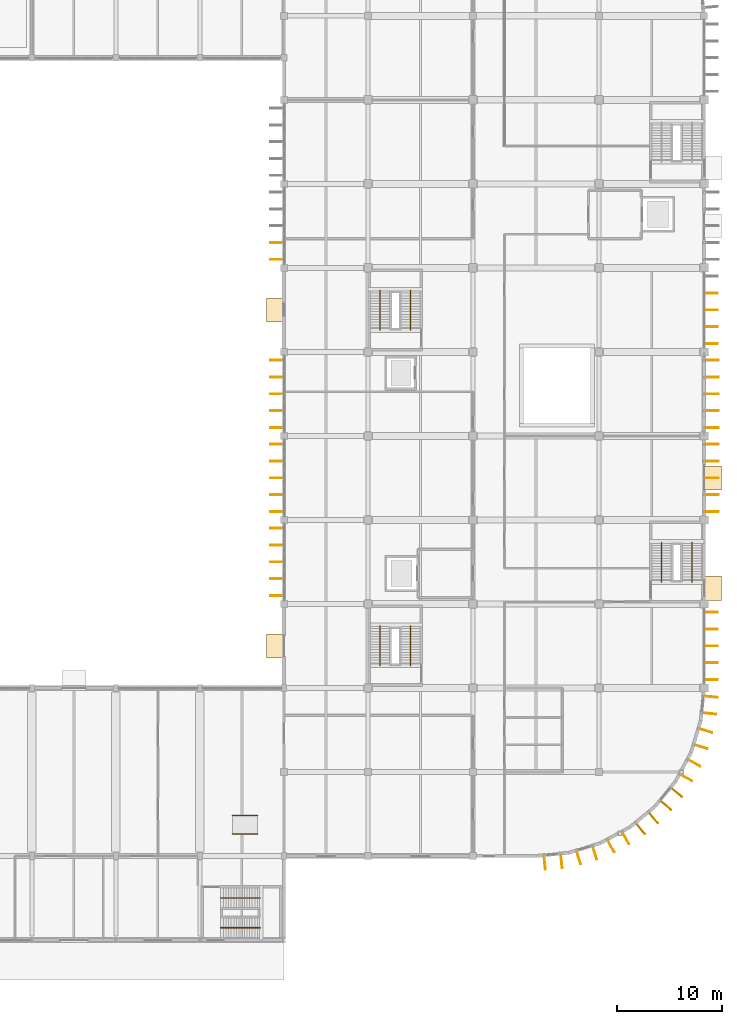
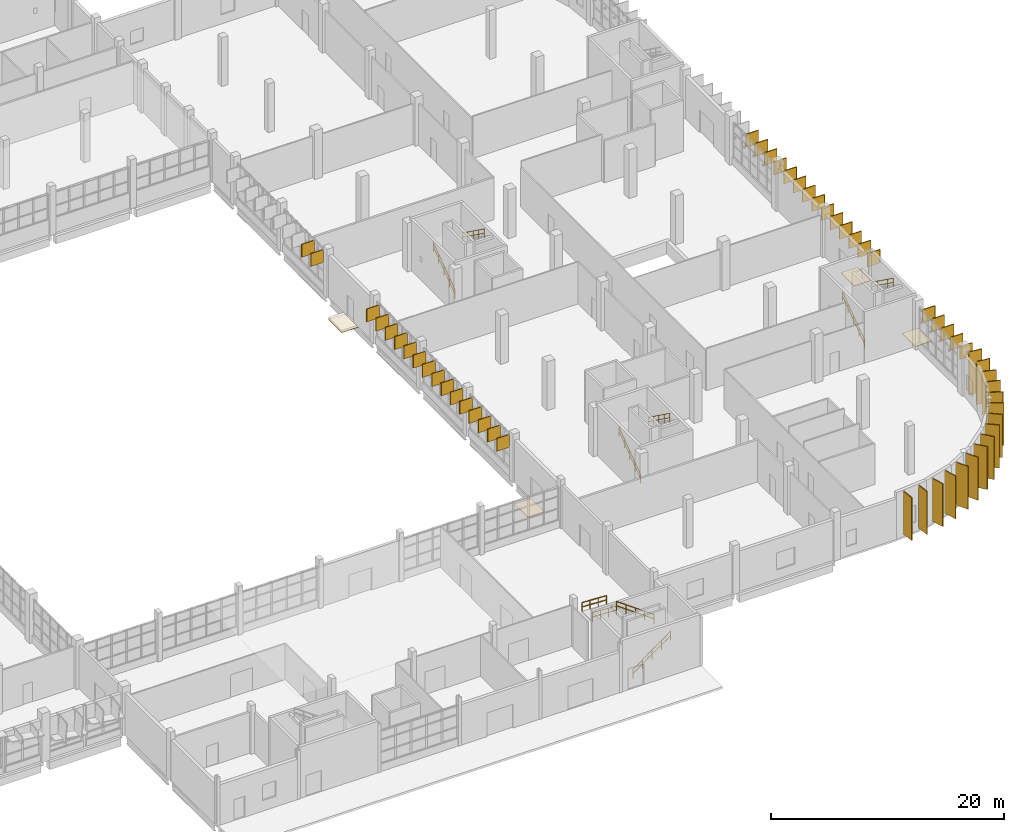
# One storey, part 101 of 103: 56 coverings, 52 shading devices, 10 railings.
"""IFC4 building model written with IfcOpenShell, lengths in metres."""

from ifc_helpers import new_model, si_unit, direction, frame, origin, origin_2d, place, context, subcontext, project, spatial, polyline, rectangle, circle, outline, extrude, material, layer, layer_set, type_object, element, save


model = new_model("IFC4")

# Units and contexts
model_context = context("Model", 3, precision=1e-05, world=origin(), true_north=direction((0.0, 1.0)))
body_context = subcontext(model_context, "Body", "Model", "MODEL_VIEW")
ifc_project = project(units=[si_unit("LENGTHUNIT", "METRE"), si_unit("AREAUNIT", "SQUARE_METRE"), si_unit("VOLUMEUNIT", "CUBIC_METRE"), si_unit("PLANEANGLEUNIT", "RADIAN"), si_unit("MASSUNIT", "GRAM", prefix="KILO")], contexts=[model_context])

# Site, building, storey
site_placement = place(None, origin())
site = spatial("IfcSite", under=ifc_project, at=site_placement, CompositionType="ELEMENT")
building_placement = place(site_placement, origin())
building = spatial("IfcBuilding", under=site, at=building_placement, Name="Drelvana Railside Aquatics Centre", CompositionType="ELEMENT")
storey_placement = place(building_placement, origin())
storey = spatial("IfcBuildingStorey", under=building, at=storey_placement, Name="L00", CompositionType="ELEMENT", Elevation=0.0)

# Coverings
ifc_material_1 = material(Name="Catalan trencadis polychrome ceramic mosaic cladding", Category="masonry")
ifc_layer = layer(ifc_material_1, 0.044921875, Name="Catalan trencadis polychrome ceramic mosaic cladding")
ifc_layer_set = layer_set([ifc_layer], Name="Catalan trencadis polychrome ceramic mosaic cladding")
covering_type_1 = type_object("IfcCoveringType", Name="COV-CLAD-TRENCADIS", PredefinedType="CLADDING", material=ifc_layer_set)
covering_1_placement = place(storey_placement, frame((0.0, 0.0, -0.2548828125)))
element("IfcCovering", 1, at=covering_1_placement, inside=storey, type_object=covering_type_1, Name="Threshold apron bedding trim 018", PredefinedType="CLADDING", context=body_context, shape_type="SweptSolid", body=[
    extrude(outline(polyline([(142.344970703125, 26.85009765625), (143.9951171875, 26.85009765625), (143.9951171875, 29.14990234375), (142.344970703125, 29.14990234375), (142.344970703125, 26.85009765625)])), origin(), (0.0, 0.0, 1.0), 0.044921875),
])
covering_2_placement = place(storey_placement, frame((0.0, 0.0, -0.2548828125)))
element("IfcCovering", 2, at=covering_2_placement, inside=storey, type_object=covering_type_1, Name="Threshold apron bedding trim 019", PredefinedType="CLADDING", context=body_context, shape_type="SweptSolid", body=[
    extrude(outline(polyline([(142.344970703125, 58.85009765625), (143.9951171875, 58.85009765625), (143.9951171875, 61.14990234375), (142.344970703125, 61.14990234375), (142.344970703125, 58.85009765625)])), origin(), (0.0, 0.0, 1.0), 0.044921875),
])
covering_3_placement = place(storey_placement, frame((0.0, 0.0, -0.2548828125)))
element("IfcCovering", 3, at=covering_3_placement, inside=storey, type_object=covering_type_1, Name="Threshold apron bedding trim 023", PredefinedType="CLADDING", context=body_context, shape_type="SweptSolid", body=[
    extrude(outline(polyline([(184.0048828125, 32.35498046875), (185.655029296875, 32.35498046875), (185.655029296875, 34.655029296875), (184.0048828125, 34.655029296875), (184.0048828125, 32.35498046875)])), origin(), (0.0, 0.0, 1.0), 0.044921875),
])
covering_4_placement = place(storey_placement, frame((0.0, 0.0, -0.2548828125)))
element("IfcCovering", 4, at=covering_4_placement, inside=storey, type_object=covering_type_1, Name="Threshold apron bedding trim 024", PredefinedType="CLADDING", context=body_context, shape_type="SweptSolid", body=[
    extrude(outline(polyline([(184.0048828125, 42.85009765625), (185.655029296875, 42.85009765625), (185.655029296875, 45.14990234375), (184.0048828125, 45.14990234375), (184.0048828125, 42.85009765625)])), origin(), (0.0, 0.0, 1.0), 0.044921875),
])
ifc_material_2 = material(Name="Bronze-anodised extruded aluminium 6063-T6", Category="aluminium")
covering_type_2 = type_object("IfcCoveringType", Name="COV-FIN-ALU", PredefinedType="CLADDING", material=ifc_material_2)
for number, where, z_axis, x_axis, name in (
    (5, (143.330078125, 32.800048828125, 3.0), (0.0, 0.0, 1.0), (0.0, 1.0, 0.0), "Vertical aluminium fin cladding CF-0561"),
    (6, (143.330078125, 34.39990234375, 3.0), (0.0, 0.0, 1.0), (0.0, 1.0, 0.0), "Vertical aluminium fin cladding CF-0562"),
    (7, (143.330078125, 36.0, 3.0), (0.0, 0.0, 1.0), (0.0, 1.0, 0.0), "Vertical aluminium fin cladding CF-0563"),
    (8, (143.330078125, 37.60009765625, 3.0), (0.0, 0.0, 1.0), (0.0, 1.0, 0.0), "Vertical aluminium fin cladding CF-0564"),
    (9, (143.330078125, 39.199951171875, 3.0), (0.0, 0.0, 1.0), (0.0, 1.0, 0.0), "Vertical aluminium fin cladding CF-0565"),
    (10, (143.330078125, 40.800048828125, 3.0), (0.0, 0.0, 1.0), (0.0, 1.0, 0.0), "Vertical aluminium fin cladding CF-0581"),
    (11, (143.330078125, 42.39990234375, 3.0), (0.0, 0.0, 1.0), (0.0, 1.0, 0.0), "Vertical aluminium fin cladding CF-0582"),
    (12, (143.330078125, 44.0, 3.0), (0.0, 0.0, 1.0), (0.0, 1.0, 0.0), "Vertical aluminium fin cladding CF-0583"),
    (13, (143.330078125, 45.60009765625, 3.0), (0.0, 0.0, 1.0), (0.0, 1.0, 0.0), "Vertical aluminium fin cladding CF-0584"),
    (14, (143.330078125, 47.199951171875, 3.0), (0.0, 0.0, 1.0), (0.0, 1.0, 0.0), "Vertical aluminium fin cladding CF-0585"),
    (15, (143.330078125, 48.800048828125, 3.0), (0.0, 0.0, 1.0), (0.0, 1.0, 0.0), "Vertical aluminium fin cladding CF-0601"),
    (16, (143.330078125, 50.39990234375, 3.0), (0.0, 0.0, 1.0), (0.0, 1.0, 0.0), "Vertical aluminium fin cladding CF-0602"),
    (17, (143.330078125, 52.0, 3.0), (0.0, 0.0, 1.0), (0.0, 1.0, 0.0), "Vertical aluminium fin cladding CF-0603"),
    (18, (143.330078125, 53.60009765625, 3.0), (0.0, 0.0, 1.0), (0.0, 1.0, 0.0), "Vertical aluminium fin cladding CF-0604"),
    (19, (143.330078125, 55.199951171875, 3.0), (0.0, 0.0, 1.0), (0.0, 1.0, 0.0), "Vertical aluminium fin cladding CF-0605"),
    (20, (143.330078125, 64.800048828125, 3.0), (0.0, 0.0, 1.0), (0.0, 1.0, 0.0), "Vertical aluminium fin cladding CF-0636"),
    (21, (143.330078125, 66.39990234375, 3.0), (0.0, 0.0, 1.0), (0.0, 1.0, 0.0), "Vertical aluminium fin cladding CF-0637"),
    (22, (184.669921875, 24.800048828125, 3.0), (0.0, 0.0, 1.0), (0.0, -1.0, 0.0), "Vertical aluminium fin cladding CF-0676"),
    (23, (184.669921875, 26.39990234375, 3.0), (0.0, 0.0, 1.0), (0.0, -1.0, 0.0), "Vertical aluminium fin cladding CF-0677"),
    (24, (184.669921875, 28.0, 3.0), (0.0, 0.0, 1.0), (0.0, -1.0, 0.0), "Vertical aluminium fin cladding CF-0678"),
    (25, (184.669921875, 29.60009765625, 3.0), (0.0, 0.0, 1.0), (0.0, -1.0, 0.0), "Vertical aluminium fin cladding CF-0679"),
    (26, (184.669921875, 31.199951171875, 3.0), (0.0, 0.0, 1.0), (0.0, -1.0, 0.0), "Vertical aluminium fin cladding CF-0680"),
):
    element("IfcCovering", number, at=place(storey_placement, frame(where, z_axis=z_axis, x_axis=x_axis)), inside=storey, type_object=covering_type_2, Name=name, PredefinedType="CLADDING", context=body_context, shape_type="SweptSolid", body=[
        extrude(rectangle(XDim=0.0849609375, YDim=1.25, at=origin_2d()), origin(), (0.0, 0.0, 1.0), 1.35009765625),
    ])
for number, where, z_axis, x_axis, name in (
    (27, (184.7451171875, 40.800048828125, 3.0), (0.0, 0.0, 1.0), (0.0, -1.0, 0.0), "Vertical aluminium fin cladding CF-0701"),
    (28, (184.7451171875, 42.39990234375, 3.0), (0.0, 0.0, 1.0), (0.0, -1.0, 0.0), "Vertical aluminium fin cladding CF-0702"),
    (29, (184.7451171875, 44.0, 3.0), (0.0, 0.0, 1.0), (0.0, -1.0, 0.0), "Vertical aluminium fin cladding CF-0703"),
    (30, (184.7451171875, 45.60009765625, 3.0), (0.0, 0.0, 1.0), (0.0, -1.0, 0.0), "Vertical aluminium fin cladding CF-0704"),
    (31, (184.7451171875, 47.199951171875, 3.0), (0.0, 0.0, 1.0), (0.0, -1.0, 0.0), "Vertical aluminium fin cladding CF-0705"),
):
    element("IfcCovering", number, at=place(storey_placement, frame(where, z_axis=z_axis, x_axis=x_axis)), inside=storey, type_object=covering_type_2, Name=name, PredefinedType="CLADDING", context=body_context, shape_type="SweptSolid", body=[
        extrude(rectangle(XDim=0.0849609375, YDim=1.25, at=origin_2d()), origin(), (0.0, 0.0, 1.0), 1.39990234375),
    ])
for number, where, z_axis, x_axis, name in (
    (32, (184.77490234375, 48.800048828125, 3.0), (0.0, 0.0, 1.0), (0.0, -1.0, 0.0), "Vertical aluminium fin cladding CF-0726"),
    (33, (184.77490234375, 50.39990234375, 3.0), (0.0, 0.0, 1.0), (0.0, -1.0, 0.0), "Vertical aluminium fin cladding CF-0727"),
    (34, (184.77490234375, 52.0, 3.0), (0.0, 0.0, 1.0), (0.0, -1.0, 0.0), "Vertical aluminium fin cladding CF-0728"),
    (35, (184.77490234375, 53.60009765625, 3.0), (0.0, 0.0, 1.0), (0.0, -1.0, 0.0), "Vertical aluminium fin cladding CF-0729"),
    (36, (184.77490234375, 55.199951171875, 3.0), (0.0, 0.0, 1.0), (0.0, -1.0, 0.0), "Vertical aluminium fin cladding CF-0730"),
    (37, (184.669921875, 56.800048828125, 3.0), (0.0, 0.0, 1.0), (0.0, -1.0, 0.0), "Vertical aluminium fin cladding CF-0751"),
    (38, (184.669921875, 58.39990234375, 3.0), (0.0, 0.0, 1.0), (0.0, -1.0, 0.0), "Vertical aluminium fin cladding CF-0752"),
    (39, (184.669921875, 60.0, 3.0), (0.0, 0.0, 1.0), (0.0, -1.0, 0.0), "Vertical aluminium fin cladding CF-0753"),
    (40, (184.669921875, 61.60009765625, 3.0), (0.0, 0.0, 1.0), (0.0, -1.0, 0.0), "Vertical aluminium fin cladding CF-0754"),
):
    element("IfcCovering", number, at=place(storey_placement, frame(where, z_axis=z_axis, x_axis=x_axis)), inside=storey, type_object=covering_type_2, Name=name, PredefinedType="CLADDING", context=body_context, shape_type="SweptSolid", body=[
        extrude(rectangle(XDim=0.0849609375, YDim=1.25, at=origin_2d()), origin(), (0.0, 0.0, 1.0), 1.35009765625),
    ])
for number, where, z_axis, x_axis, name in (
    (41, (168.836669921875, 7.34375, 0.25), (0.0, 0.0, 1.0), (-0.995184726672, -0.09801714033, 0.0), "Vertical aluminium fin cladding CF-0821"),
    (42, (170.428955078125, 7.500732421875, 0.25), (0.0, 0.0, 1.0), (-0.995184726672, -0.09801714033, 0.0), "Vertical aluminium fin cladding CF-0822"),
    (43, (172.070068359375, 7.8271484375, 0.25), (0.0, 0.0, 1.0), (-0.956940335732, -0.290284677254, 0.0), "Vertical aluminium fin cladding CF-0827"),
    (44, (173.60107421875, 8.29150390625, 0.25), (0.0, 0.0, 1.0), (-0.956940335732, -0.290284677254, 0.0), "Vertical aluminium fin cladding CF-0828"),
    (45, (175.14697265625, 8.931884765625, 0.25), (0.0, 0.0, 1.0), (-0.881921264348, -0.471396736826, 0.0), "Vertical aluminium fin cladding CF-0833"),
    (46, (176.55810546875, 9.68603515625, 0.25), (0.0, 0.0, 1.0), (-0.881921264348, -0.471396736826, 0.0), "Vertical aluminium fin cladding CF-0834"),
    (47, (177.94921875, 10.61572265625, 0.25), (0.0, 0.0, 1.0), (-0.773010453363, -0.634393284164, 0.0), "Vertical aluminium fin cladding CF-0839"),
    (48, (179.18603515625, 11.630615234375, 0.25), (0.0, 0.0, 1.0), (-0.773010453363, -0.634393284164, 0.0), "Vertical aluminium fin cladding CF-0840"),
    (49, (180.369384765625, 12.81396484375, 0.25), (0.0, 0.0, 1.0), (-0.634393284164, -0.773010453363, 0.0), "Vertical aluminium fin cladding CF-0845"),
    (50, (181.38427734375, 14.05078125, 0.25), (0.0, 0.0, 1.0), (-0.634393284164, -0.773010453363, 0.0), "Vertical aluminium fin cladding CF-0846"),
    (51, (182.31396484375, 15.44189453125, 0.25), (0.0, 0.0, 1.0), (-0.471396736826, -0.881921264348, 0.0), "Vertical aluminium fin cladding CF-0851"),
    (52, (183.068115234375, 16.85302734375, 0.25), (0.0, 0.0, 1.0), (-0.471396736826, -0.881921264348, 0.0), "Vertical aluminium fin cladding CF-0852"),
    (53, (183.70849609375, 18.39892578125, 0.25), (0.0, 0.0, 1.0), (-0.290284677254, -0.956940335732, 0.0), "Vertical aluminium fin cladding CF-0857"),
    (54, (184.1728515625, 19.929931640625, 0.25), (0.0, 0.0, 1.0), (-0.290284677254, -0.956940335732, 0.0), "Vertical aluminium fin cladding CF-0858"),
    (55, (184.499267578125, 21.571044921875, 0.25), (0.0, 0.0, 1.0), (-0.09801714033, -0.995184726672, 0.0), "Vertical aluminium fin cladding CF-0863"),
    (56, (184.65625, 23.163330078125, 0.25), (0.0, 0.0, 1.0), (-0.09801714033, -0.995184726672, 0.0), "Vertical aluminium fin cladding CF-0864"),
):
    element("IfcCovering", number, at=place(storey_placement, frame(where, z_axis=z_axis, x_axis=x_axis)), inside=storey, type_object=covering_type_2, Name=name, PredefinedType="CLADDING", context=body_context, shape_type="SweptSolid", body=[
        extrude(rectangle(XDim=0.0849609375, YDim=1.25, at=origin_2d()), origin(), (0.0, 0.0, 1.0), 4.5),
    ])

# Railings
ifc_material_3 = material(Name="Brushed stainless steel stair pitch handrail", Category="steel")
railing_type = type_object("IfcRailingType", Name="RAL-HANDRAIL-950", PredefinedType="HANDRAIL", material=ifc_material_3)
railing_1_placement = place(storey_placement, frame((153.14990234375, 26.14990234375, 0.0)))
element("IfcRailing", 57, at=railing_1_placement, inside=storey, type_object=railing_type, Name="Stair ST-06 flight 1 handrail (L00)", PredefinedType="HANDRAIL", context=body_context, shape_type="SweptSolid", body=[
    extrude(circle(Radius=0.02392578125, at=origin_2d()), frame((0.0, 0.0, 0.92578125), z_axis=(0.0, 0.811539352079, 0.584297766578), x_axis=(-1.0, 0.0, 0.0)), (0.0, 0.0, 1.0), 4.620849609375),
    extrude(circle(Radius=0.02392578125, at=origin_2d()), frame((0.0, 0.0, 0.47509765625), z_axis=(0.0, 0.811539352079, 0.584297766578), x_axis=(-1.0, 0.0, 0.0)), (0.0, 0.0, 1.0), 4.620849609375),
    extrude(circle(Radius=0.02099609375, at=origin_2d()), origin(), (0.0, 0.0, 1.0), 0.90185546875),
    extrude(circle(Radius=0.02099609375, at=origin_2d()), frame((0.0, 0.9375, 0.675048828125)), (0.0, 0.0, 1.0), 0.90185546875),
    extrude(circle(Radius=0.02099609375, at=origin_2d()), frame((0.0, 1.875, 1.35009765625)), (0.0, 0.0, 1.0), 0.90185546875),
    extrude(circle(Radius=0.02099609375, at=origin_2d()), frame((0.0, 2.8125, 2.02490234375)), (0.0, 0.0, 1.0), 0.90185546875),
    extrude(circle(Radius=0.02099609375, at=origin_2d()), frame((0.0, 3.75, 2.699951171875)), (0.0, 0.0, 1.0), 0.90185546875),
])
railing_2_placement = place(storey_placement, frame((156.050048828125, 29.89990234375, 2.699951171875)))
element("IfcRailing", 58, at=railing_2_placement, inside=storey, type_object=railing_type, Name="Stair ST-06 flight 2 handrail (L00)", PredefinedType="HANDRAIL", context=body_context, shape_type="SweptSolid", body=[
    extrude(circle(Radius=0.02392578125, at=origin_2d()), frame((0.0, 0.0, 0.92578125), z_axis=(0.0, -0.811539352079, 0.584297766578), x_axis=(1.0, 0.0, 0.0)), (0.0, 0.0, 1.0), 4.620849609375),
    extrude(circle(Radius=0.02392578125, at=origin_2d()), frame((0.0, 0.0, 0.47509765625), z_axis=(0.0, -0.811539352079, 0.584297766578), x_axis=(1.0, 0.0, 0.0)), (0.0, 0.0, 1.0), 4.620849609375),
    extrude(circle(Radius=0.02099609375, at=origin_2d()), origin(), (0.0, 0.0, 1.0), 0.90185546875),
    extrude(circle(Radius=0.02099609375, at=origin_2d()), frame((0.0, -0.9375, 0.675048828125)), (0.0, 0.0, 1.0), 0.90185546875),
    extrude(circle(Radius=0.02099609375, at=origin_2d()), frame((0.0, -1.875, 1.35009765625)), (0.0, 0.0, 1.0), 0.90185546875),
    extrude(circle(Radius=0.02099609375, at=origin_2d()), frame((0.0, -2.8125, 2.02490234375)), (0.0, 0.0, 1.0), 0.90185546875),
    extrude(circle(Radius=0.02099609375, at=origin_2d()), frame((0.0, -3.75, 2.699951171875)), (0.0, 0.0, 1.0), 0.90185546875),
])
railing_3_placement = place(storey_placement, frame((153.159912109375, 58.090087890625, 0.0)))
element("IfcRailing", 59, at=railing_3_placement, inside=storey, type_object=railing_type, Name="Stair ST-08 flight 1 handrail (L00)", PredefinedType="HANDRAIL", context=body_context, shape_type="SweptSolid", body=[
    extrude(circle(Radius=0.02392578125, at=origin_2d()), frame((0.0, 0.0, 0.92578125), z_axis=(0.0, 0.811539352079, 0.584297766578), x_axis=(-1.0, 0.0, 0.0)), (0.0, 0.0, 1.0), 4.620849609375),
    extrude(circle(Radius=0.02392578125, at=origin_2d()), frame((0.0, 0.0, 0.47509765625), z_axis=(0.0, 0.811539352079, 0.584297766578), x_axis=(-1.0, 0.0, 0.0)), (0.0, 0.0, 1.0), 4.620849609375),
    extrude(circle(Radius=0.02099609375, at=origin_2d()), origin(), (0.0, 0.0, 1.0), 0.90185546875),
    extrude(circle(Radius=0.02099609375, at=origin_2d()), frame((0.0, 0.9375, 0.675048828125)), (0.0, 0.0, 1.0), 0.90185546875),
    extrude(circle(Radius=0.02099609375, at=origin_2d()), frame((0.0, 1.875, 1.35009765625)), (0.0, 0.0, 1.0), 0.90185546875),
    extrude(circle(Radius=0.02099609375, at=origin_2d()), frame((0.0, 2.8125, 2.02490234375)), (0.0, 0.0, 1.0), 0.90185546875),
    extrude(circle(Radius=0.02099609375, at=origin_2d()), frame((0.0, 3.75, 2.699951171875)), (0.0, 0.0, 1.0), 0.90185546875),
])
railing_4_placement = place(storey_placement, frame((156.0400390625, 61.840087890625, 2.699951171875)))
element("IfcRailing", 60, at=railing_4_placement, inside=storey, type_object=railing_type, Name="Stair ST-08 flight 2 handrail (L00)", PredefinedType="HANDRAIL", context=body_context, shape_type="SweptSolid", body=[
    extrude(circle(Radius=0.02392578125, at=origin_2d()), frame((0.0, 0.0, 0.92578125), z_axis=(0.0, -0.811539352079, 0.584297766578), x_axis=(1.0, 0.0, 0.0)), (0.0, 0.0, 1.0), 4.620849609375),
    extrude(circle(Radius=0.02392578125, at=origin_2d()), frame((0.0, 0.0, 0.47509765625), z_axis=(0.0, -0.811539352079, 0.584297766578), x_axis=(1.0, 0.0, 0.0)), (0.0, 0.0, 1.0), 4.620849609375),
    extrude(circle(Radius=0.02099609375, at=origin_2d()), origin(), (0.0, 0.0, 1.0), 0.90185546875),
    extrude(circle(Radius=0.02099609375, at=origin_2d()), frame((0.0, -0.9375, 0.675048828125)), (0.0, 0.0, 1.0), 0.90185546875),
    extrude(circle(Radius=0.02099609375, at=origin_2d()), frame((0.0, -1.875, 1.35009765625)), (0.0, 0.0, 1.0), 0.90185546875),
    extrude(circle(Radius=0.02099609375, at=origin_2d()), frame((0.0, -2.8125, 2.02490234375)), (0.0, 0.0, 1.0), 0.90185546875),
    extrude(circle(Radius=0.02099609375, at=origin_2d()), frame((0.0, -3.75, 2.699951171875)), (0.0, 0.0, 1.0), 0.90185546875),
])
railing_5_placement = place(storey_placement, frame((179.9599609375, 34.090087890625, 0.0)))
element("IfcRailing", 61, at=railing_5_placement, inside=storey, type_object=railing_type, Name="Stair ST-09 flight 1 handrail (L00)", PredefinedType="HANDRAIL", context=body_context, shape_type="SweptSolid", body=[
    extrude(circle(Radius=0.02392578125, at=origin_2d()), frame((0.0, 0.0, 0.92578125), z_axis=(0.0, 0.811539352079, 0.584297766578), x_axis=(-1.0, 0.0, 0.0)), (0.0, 0.0, 1.0), 4.620849609375),
    extrude(circle(Radius=0.02392578125, at=origin_2d()), frame((0.0, 0.0, 0.47509765625), z_axis=(0.0, 0.811539352079, 0.584297766578), x_axis=(-1.0, 0.0, 0.0)), (0.0, 0.0, 1.0), 4.620849609375),
    extrude(circle(Radius=0.02099609375, at=origin_2d()), origin(), (0.0, 0.0, 1.0), 0.90185546875),
    extrude(circle(Radius=0.02099609375, at=origin_2d()), frame((0.0, 0.9375, 0.675048828125)), (0.0, 0.0, 1.0), 0.90185546875),
    extrude(circle(Radius=0.02099609375, at=origin_2d()), frame((0.0, 1.875, 1.35009765625)), (0.0, 0.0, 1.0), 0.90185546875),
    extrude(circle(Radius=0.02099609375, at=origin_2d()), frame((0.0, 2.8125, 2.02490234375)), (0.0, 0.0, 1.0), 0.90185546875),
    extrude(circle(Radius=0.02099609375, at=origin_2d()), frame((0.0, 3.75, 2.699951171875)), (0.0, 0.0, 1.0), 0.90185546875),
])
railing_6_placement = place(storey_placement, frame((182.840087890625, 37.840087890625, 2.699951171875)))
element("IfcRailing", 62, at=railing_6_placement, inside=storey, type_object=railing_type, Name="Stair ST-09 flight 2 handrail (L00)", PredefinedType="HANDRAIL", context=body_context, shape_type="SweptSolid", body=[
    extrude(circle(Radius=0.02392578125, at=origin_2d()), frame((0.0, 0.0, 0.92578125), z_axis=(0.0, -0.811539352079, 0.584297766578), x_axis=(1.0, 0.0, 0.0)), (0.0, 0.0, 1.0), 4.620849609375),
    extrude(circle(Radius=0.02392578125, at=origin_2d()), frame((0.0, 0.0, 0.47509765625), z_axis=(0.0, -0.811539352079, 0.584297766578), x_axis=(1.0, 0.0, 0.0)), (0.0, 0.0, 1.0), 4.620849609375),
    extrude(circle(Radius=0.02099609375, at=origin_2d()), origin(), (0.0, 0.0, 1.0), 0.90185546875),
    extrude(circle(Radius=0.02099609375, at=origin_2d()), frame((0.0, -0.9375, 0.675048828125)), (0.0, 0.0, 1.0), 0.90185546875),
    extrude(circle(Radius=0.02099609375, at=origin_2d()), frame((0.0, -1.875, 1.35009765625)), (0.0, 0.0, 1.0), 0.90185546875),
    extrude(circle(Radius=0.02099609375, at=origin_2d()), frame((0.0, -2.8125, 2.02490234375)), (0.0, 0.0, 1.0), 0.90185546875),
    extrude(circle(Radius=0.02099609375, at=origin_2d()), frame((0.0, -3.75, 2.699951171875)), (0.0, 0.0, 1.0), 0.90185546875),
])
railing_7_placement = place(storey_placement, frame((137.969970703125, 1.175048828125, 0.0)))
element("IfcRailing", 63, at=railing_7_placement, inside=storey, type_object=railing_type, Name="Stair ST-10 flight 1 handrail (L00)", PredefinedType="HANDRAIL", context=body_context, shape_type="SweptSolid", body=[
    extrude(circle(Radius=0.02392578125, at=origin_2d()), frame((0.0, 0.0, 0.92578125), z_axis=(0.811539352079, 0.0, 0.584297766578), x_axis=(0.0, 1.0, 0.0)), (0.0, 0.0, 1.0), 4.620849609375),
    extrude(circle(Radius=0.02392578125, at=origin_2d()), frame((0.0, 0.0, 0.47509765625), z_axis=(0.811539352079, 0.0, 0.584297766578), x_axis=(0.0, 1.0, 0.0)), (0.0, 0.0, 1.0), 4.620849609375),
    extrude(circle(Radius=0.02099609375, at=origin_2d()), origin(), (0.0, 0.0, 1.0), 0.90185546875),
    extrude(circle(Radius=0.02099609375, at=origin_2d()), frame((0.9375, 0.0, 0.675048828125)), (0.0, 0.0, 1.0), 0.90185546875),
    extrude(circle(Radius=0.02099609375, at=origin_2d()), frame((1.875, 0.0, 1.35009765625)), (0.0, 0.0, 1.0), 0.90185546875),
    extrude(circle(Radius=0.02099609375, at=origin_2d()), frame((2.8125, 0.0, 2.02490234375)), (0.0, 0.0, 1.0), 0.90185546875),
    extrude(circle(Radius=0.02099609375, at=origin_2d()), frame((3.75, 0.0, 2.699951171875)), (0.0, 0.0, 1.0), 0.90185546875),
])
railing_8_placement = place(storey_placement, frame((141.719970703125, 4.02490234375, 2.699951171875)))
element("IfcRailing", 64, at=railing_8_placement, inside=storey, type_object=railing_type, Name="Stair ST-10 flight 2 handrail (L00)", PredefinedType="HANDRAIL", context=body_context, shape_type="SweptSolid", body=[
    extrude(circle(Radius=0.02392578125, at=origin_2d()), frame((0.0, 0.0, 0.92578125), z_axis=(-0.811539352079, 0.0, 0.584297766578), x_axis=(0.0, -1.0, 0.0)), (0.0, 0.0, 1.0), 4.620849609375),
    extrude(circle(Radius=0.02392578125, at=origin_2d()), frame((0.0, 0.0, 0.47509765625), z_axis=(-0.811539352079, 0.0, 0.584297766578), x_axis=(0.0, -1.0, 0.0)), (0.0, 0.0, 1.0), 4.620849609375),
    extrude(circle(Radius=0.02099609375, at=origin_2d()), origin(), (0.0, 0.0, 1.0), 0.90185546875),
    extrude(circle(Radius=0.02099609375, at=origin_2d()), frame((-0.9375, 0.0, 0.675048828125)), (0.0, 0.0, 1.0), 0.90185546875),
    extrude(circle(Radius=0.02099609375, at=origin_2d()), frame((-1.875, 0.0, 1.35009765625)), (0.0, 0.0, 1.0), 0.90185546875),
    extrude(circle(Radius=0.02099609375, at=origin_2d()), frame((-2.8125, 0.0, 2.02490234375)), (0.0, 0.0, 1.0), 0.90185546875),
    extrude(circle(Radius=0.02099609375, at=origin_2d()), frame((-3.75, 0.0, 2.699951171875)), (0.0, 0.0, 1.0), 0.90185546875),
])
for number, where, name in (
    (65, (141.5, 10.1201171875, 0.0), "Accessible ramp handrail RMP-ARR-E"),
    (66, (141.5, 11.8798828125, 0.0), "Accessible ramp handrail RMP-ARR-E"),
):
    element("IfcRailing", number, at=place(storey_placement, frame(where)), inside=storey, type_object=railing_type, Name=name, PredefinedType="HANDRAIL", context=body_context, shape_type="SweptSolid", body=[
        extrude(circle(Radius=0.02392578125, at=origin_2d()), frame((0.0, 0.0, 0.92578125), z_axis=(-0.998749803871, 0.0, 0.049988291303), x_axis=(0.0, -1.0, 0.0)), (0.0, 0.0, 1.0), 2.40283203125),
        extrude(circle(Radius=0.02392578125, at=origin_2d()), frame((0.0, 0.0, 0.47509765625), z_axis=(-0.998749803871, 0.0, 0.049988291303), x_axis=(0.0, -1.0, 0.0)), (0.0, 0.0, 1.0), 2.40283203125),
        extrude(circle(Radius=0.02099609375, at=origin_2d()), origin(), (0.0, 0.0, 1.0), 0.90185546875),
        extrude(circle(Radius=0.02099609375, at=origin_2d()), frame((-0.800048828125, 0.0, 0.0400390625)), (0.0, 0.0, 1.0), 0.90185546875),
        extrude(circle(Radius=0.02099609375, at=origin_2d()), frame((-1.599853515625, 0.0, 0.080078125)), (0.0, 0.0, 1.0), 0.90185546875),
        extrude(circle(Radius=0.02099609375, at=origin_2d()), frame((-2.39990234375, 0.0, 0.1201171875)), (0.0, 0.0, 1.0), 0.90185546875),
    ])

# Shading devices
shading_device_type = type_object("IfcShadingDeviceType", Name="SHD-FIN-1250", PredefinedType="USERDEFINED", material=ifc_material_2)
for number, where, z_axis, x_axis, name in (
    (67, (143.31005859375, 32.800048828125, 3.0), (0.0, 0.0, 1.0), (-1.0, 0.0, 0.0), "Vertical bronze shading fin FN-0568"),
    (68, (143.31005859375, 34.39990234375, 3.0), (0.0, 0.0, 1.0), (-1.0, 0.0, 0.0), "Vertical bronze shading fin FN-0569"),
    (69, (143.31005859375, 36.0, 3.0), (0.0, 0.0, 1.0), (-1.0, 0.0, 0.0), "Vertical bronze shading fin FN-0570"),
    (70, (143.31005859375, 37.60009765625, 3.0), (0.0, 0.0, 1.0), (-1.0, 0.0, 0.0), "Vertical bronze shading fin FN-0571"),
    (71, (143.31005859375, 39.199951171875, 3.0), (0.0, 0.0, 1.0), (-1.0, 0.0, 0.0), "Vertical bronze shading fin FN-0572"),
    (72, (143.31005859375, 40.800048828125, 3.0), (0.0, 0.0, 1.0), (-1.0, 0.0, 0.0), "Vertical bronze shading fin FN-0588"),
    (73, (143.31005859375, 42.39990234375, 3.0), (0.0, 0.0, 1.0), (-1.0, 0.0, 0.0), "Vertical bronze shading fin FN-0589"),
    (74, (143.31005859375, 44.0, 3.0), (0.0, 0.0, 1.0), (-1.0, 0.0, 0.0), "Vertical bronze shading fin FN-0590"),
    (75, (143.31005859375, 45.60009765625, 3.0), (0.0, 0.0, 1.0), (-1.0, 0.0, 0.0), "Vertical bronze shading fin FN-0591"),
    (76, (143.31005859375, 47.199951171875, 3.0), (0.0, 0.0, 1.0), (-1.0, 0.0, 0.0), "Vertical bronze shading fin FN-0592"),
    (77, (143.31005859375, 48.800048828125, 3.0), (0.0, 0.0, 1.0), (-1.0, 0.0, 0.0), "Vertical bronze shading fin FN-0608"),
    (78, (143.31005859375, 50.39990234375, 3.0), (0.0, 0.0, 1.0), (-1.0, 0.0, 0.0), "Vertical bronze shading fin FN-0609"),
    (79, (143.31005859375, 52.0, 3.0), (0.0, 0.0, 1.0), (-1.0, 0.0, 0.0), "Vertical bronze shading fin FN-0610"),
    (80, (143.31005859375, 53.60009765625, 3.0), (0.0, 0.0, 1.0), (-1.0, 0.0, 0.0), "Vertical bronze shading fin FN-0611"),
    (81, (143.31005859375, 55.199951171875, 3.0), (0.0, 0.0, 1.0), (-1.0, 0.0, 0.0), "Vertical bronze shading fin FN-0612"),
    (82, (143.31005859375, 64.800048828125, 3.0), (0.0, 0.0, 1.0), (-1.0, 0.0, 0.0), "Vertical bronze shading fin FN-0643"),
    (83, (143.31005859375, 66.39990234375, 3.0), (0.0, 0.0, 1.0), (-1.0, 0.0, 0.0), "Vertical bronze shading fin FN-0644"),
    (84, (184.68994140625, 24.800048828125, 3.0), (0.0, 0.0, 1.0), (1.0, 0.0, 0.0), "Vertical bronze shading fin FN-0683"),
    (85, (184.68994140625, 26.39990234375, 3.0), (0.0, 0.0, 1.0), (1.0, 0.0, 0.0), "Vertical bronze shading fin FN-0684"),
    (86, (184.68994140625, 28.0, 3.0), (0.0, 0.0, 1.0), (1.0, 0.0, 0.0), "Vertical bronze shading fin FN-0685"),
    (87, (184.68994140625, 29.60009765625, 3.0), (0.0, 0.0, 1.0), (1.0, 0.0, 0.0), "Vertical bronze shading fin FN-0686"),
    (88, (184.68994140625, 31.199951171875, 3.0), (0.0, 0.0, 1.0), (1.0, 0.0, 0.0), "Vertical bronze shading fin FN-0687"),
):
    element("IfcShadingDevice", number, at=place(storey_placement, frame(where, z_axis=z_axis, x_axis=x_axis)), inside=storey, type_object=shading_device_type, Name=name, ObjectType="FIN", PredefinedType="USERDEFINED", context=body_context, shape_type="SweptSolid", body=[
        extrude(rectangle(XDim=1.25, YDim=0.06494140625, at=origin_2d()), origin(), (0.0, 0.0, 1.0), 1.35009765625),
    ])
for number, where, z_axis, x_axis, name in (
    (89, (184.764892578125, 40.800048828125, 3.0), (0.0, 0.0, 1.0), (1.0, 0.0, 0.0), "Vertical bronze shading fin FN-0708"),
    (90, (184.764892578125, 42.39990234375, 3.0), (0.0, 0.0, 1.0), (1.0, 0.0, 0.0), "Vertical bronze shading fin FN-0709"),
    (91, (184.764892578125, 44.0, 3.0), (0.0, 0.0, 1.0), (1.0, 0.0, 0.0), "Vertical bronze shading fin FN-0710"),
    (92, (184.764892578125, 45.60009765625, 3.0), (0.0, 0.0, 1.0), (1.0, 0.0, 0.0), "Vertical bronze shading fin FN-0711"),
    (93, (184.764892578125, 47.199951171875, 3.0), (0.0, 0.0, 1.0), (1.0, 0.0, 0.0), "Vertical bronze shading fin FN-0712"),
):
    element("IfcShadingDevice", number, at=place(storey_placement, frame(where, z_axis=z_axis, x_axis=x_axis)), inside=storey, type_object=shading_device_type, Name=name, ObjectType="FIN", PredefinedType="USERDEFINED", context=body_context, shape_type="SweptSolid", body=[
        extrude(rectangle(XDim=1.25, YDim=0.06494140625, at=origin_2d()), origin(), (0.0, 0.0, 1.0), 1.39990234375),
    ])
for number, where, z_axis, x_axis, name in (
    (94, (184.794921875, 48.800048828125, 3.0), (0.0, 0.0, 1.0), (1.0, 0.0, 0.0), "Vertical bronze shading fin FN-0733"),
    (95, (184.794921875, 50.39990234375, 3.0), (0.0, 0.0, 1.0), (1.0, 0.0, 0.0), "Vertical bronze shading fin FN-0734"),
    (96, (184.794921875, 52.0, 3.0), (0.0, 0.0, 1.0), (1.0, 0.0, 0.0), "Vertical bronze shading fin FN-0735"),
    (97, (184.794921875, 53.60009765625, 3.0), (0.0, 0.0, 1.0), (1.0, 0.0, 0.0), "Vertical bronze shading fin FN-0736"),
    (98, (184.794921875, 55.199951171875, 3.0), (0.0, 0.0, 1.0), (1.0, 0.0, 0.0), "Vertical bronze shading fin FN-0737"),
    (99, (184.68994140625, 56.800048828125, 3.0), (0.0, 0.0, 1.0), (1.0, 0.0, 0.0), "Vertical bronze shading fin FN-0758"),
    (100, (184.68994140625, 58.39990234375, 3.0), (0.0, 0.0, 1.0), (1.0, 0.0, 0.0), "Vertical bronze shading fin FN-0759"),
    (101, (184.68994140625, 60.0, 3.0), (0.0, 0.0, 1.0), (1.0, 0.0, 0.0), "Vertical bronze shading fin FN-0760"),
    (102, (184.68994140625, 61.60009765625, 3.0), (0.0, 0.0, 1.0), (1.0, 0.0, 0.0), "Vertical bronze shading fin FN-0761"),
):
    element("IfcShadingDevice", number, at=place(storey_placement, frame(where, z_axis=z_axis, x_axis=x_axis)), inside=storey, type_object=shading_device_type, Name=name, ObjectType="FIN", PredefinedType="USERDEFINED", context=body_context, shape_type="SweptSolid", body=[
        extrude(rectangle(XDim=1.25, YDim=0.06494140625, at=origin_2d()), origin(), (0.0, 0.0, 1.0), 1.35009765625),
    ])
for number, where, z_axis, x_axis, name in (
    (103, (168.838623046875, 7.323974609375, 0.25), (0.0, 0.0, 1.0), (0.09801714033, -0.995184726672, 0.0), "Vertical bronze shading fin FN-0828"),
    (104, (170.430908203125, 7.480712890625, 0.25), (0.0, 0.0, 1.0), (0.09801714033, -0.995184726672, 0.0), "Vertical bronze shading fin FN-0829"),
    (105, (172.07568359375, 7.80810546875, 0.25), (0.0, 0.0, 1.0), (0.290284677254, -0.956940335732, 0.0), "Vertical bronze shading fin FN-0834"),
    (106, (173.60693359375, 8.2724609375, 0.25), (0.0, 0.0, 1.0), (0.290284677254, -0.956940335732, 0.0), "Vertical bronze shading fin FN-0835"),
    (107, (175.156494140625, 8.914306640625, 0.25), (0.0, 0.0, 1.0), (0.471396736826, -0.881921264348, 0.0), "Vertical bronze shading fin FN-0840"),
    (108, (176.5673828125, 9.66845703125, 0.25), (0.0, 0.0, 1.0), (0.471396736826, -0.881921264348, 0.0), "Vertical bronze shading fin FN-0841"),
    (109, (177.9619140625, 10.600341796875, 0.25), (0.0, 0.0, 1.0), (0.634393284164, -0.773010453363, 0.0), "Vertical bronze shading fin FN-0846"),
    (110, (179.19873046875, 11.615234375, 0.25), (0.0, 0.0, 1.0), (0.634393284164, -0.773010453363, 0.0), "Vertical bronze shading fin FN-0847"),
    (111, (180.384765625, 12.80126953125, 0.25), (0.0, 0.0, 1.0), (0.773010453363, -0.634393284164, 0.0), "Vertical bronze shading fin FN-0852"),
    (112, (181.399658203125, 14.0380859375, 0.25), (0.0, 0.0, 1.0), (0.773010453363, -0.634393284164, 0.0), "Vertical bronze shading fin FN-0853"),
    (113, (182.33154296875, 15.4326171875, 0.25), (0.0, 0.0, 1.0), (0.881921264348, -0.471396736826, 0.0), "Vertical bronze shading fin FN-0858"),
    (114, (183.085693359375, 16.843505859375, 0.25), (0.0, 0.0, 1.0), (0.881921264348, -0.471396736826, 0.0), "Vertical bronze shading fin FN-0859"),
    (115, (183.7275390625, 18.39306640625, 0.25), (0.0, 0.0, 1.0), (0.956940335732, -0.290284677254, 0.0), "Vertical bronze shading fin FN-0864"),
    (116, (184.19189453125, 19.92431640625, 0.25), (0.0, 0.0, 1.0), (0.956940335732, -0.290284677254, 0.0), "Vertical bronze shading fin FN-0865"),
    (117, (184.519287109375, 21.569091796875, 0.25), (0.0, 0.0, 1.0), (0.995184726672, -0.09801714033, 0.0), "Vertical bronze shading fin FN-0870"),
    (118, (184.676025390625, 23.161376953125, 0.25), (0.0, 0.0, 1.0), (0.995184726672, -0.09801714033, 0.0), "Vertical bronze shading fin FN-0871"),
):
    element("IfcShadingDevice", number, at=place(storey_placement, frame(where, z_axis=z_axis, x_axis=x_axis)), inside=storey, type_object=shading_device_type, Name=name, ObjectType="FIN", PredefinedType="USERDEFINED", context=body_context, shape_type="SweptSolid", body=[
        extrude(rectangle(XDim=1.25, YDim=0.06494140625, at=origin_2d()), origin(), (0.0, 0.0, 1.0), 4.5),
    ])

save(model, "model.ifc")
